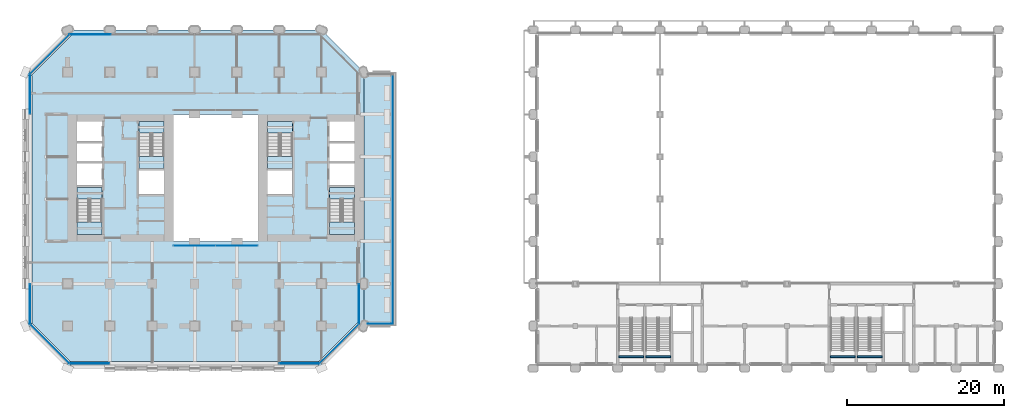
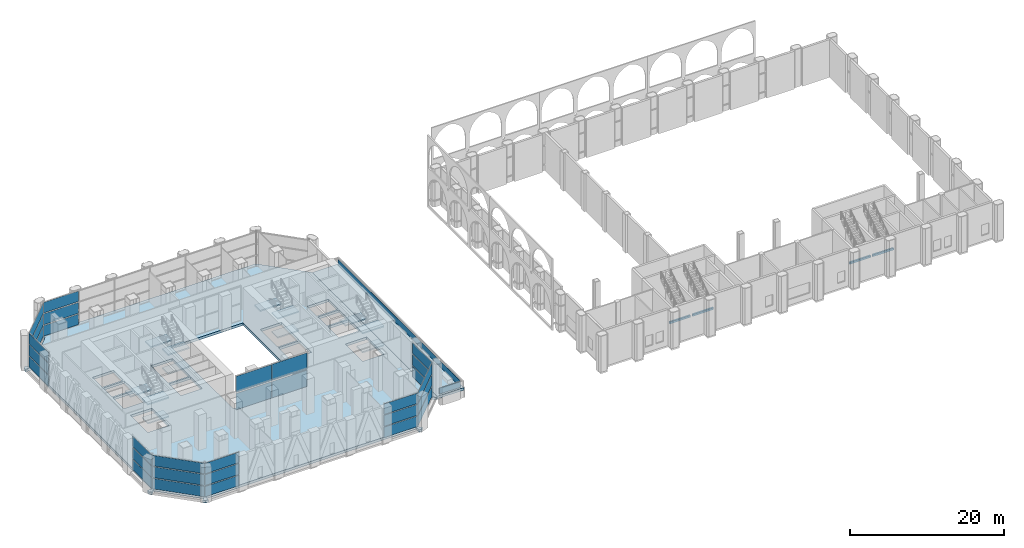
# One storey, part 10 of 34: 33 plates, 14 slabs, 4 beams, 14 elements without a shape of their own.
"""IFC4 building model written with IfcOpenShell, lengths in metres."""

from ifc_helpers import new_model, si_unit, direction, frame, frame_2d, origin, origin_2d, place, context, subcontext, project, spatial, polyline, rectangle, outline, extrude, material, layer, layer_set, material_profile, profile_set, type_object, element, aggregate, save


model = new_model("IFC4")

# Units and contexts
model_context = context("Model", 3, precision=1e-05, world=origin(), true_north=direction((0.0, 1.0)))
body_context = subcontext(model_context, "Body", "Model", "MODEL_VIEW")
ifc_project = project(units=[si_unit("LENGTHUNIT", "METRE"), si_unit("AREAUNIT", "SQUARE_METRE"), si_unit("VOLUMEUNIT", "CUBIC_METRE"), si_unit("PLANEANGLEUNIT", "RADIAN"), si_unit("MASSUNIT", "GRAM", prefix="KILO")], contexts=[model_context])

# Site, building, storey
site_placement = place(None, origin())
site = spatial("IfcSite", under=ifc_project, at=site_placement, CompositionType="ELEMENT")
building_placement = place(site_placement, origin())
building = spatial("IfcBuilding", under=site, at=building_placement, Name="Tabaq Tower and Sports Hall", CompositionType="ELEMENT")
storey_placement = place(building_placement, frame((0.0, 0.0, 8.39990234375)))
storey = spatial("IfcBuildingStorey", under=building, at=storey_placement, Name="L01", CompositionType="ELEMENT", Elevation=8.39990234375)

# Beams
ifc_material_1 = material(Name="Concrete C50/60", Category="concrete")
ifc_material_profile = material_profile(ifc_material_1, rectangle(XDim=0.25, YDim=0.300048828125, at=origin_2d()), Name="RC 250x300")
ifc_profile_set = profile_set([ifc_material_profile], Name="Concrete C50/60")
beam_type = type_object("IfcBeamType", Name="HALL STAIR LANDING BEAM 250x300", PredefinedType="BEAM", material=ifc_profile_set)
beam_1_placement = place(storey_placement, frame((75.75, 1.5, 2.650146484375), z_axis=(1.0, 0.0, 0.0), x_axis=(0.0, 1.0, 0.0)))
element("IfcBeam", 1, at=beam_1_placement, inside=storey, type_object=beam_type, Name="L01 ST-H1 landing beam 1", PredefinedType="BEAM", context=body_context, shape_type="SweptSolid", body=[
    extrude(rectangle(XDim=0.25, YDim=0.300048828125, at=origin_2d()), origin(), (0.0, 0.0, 1.0), 3.14990234375),
])
beam_2_placement = place(storey_placement, frame((79.199951171875, 1.5, 2.650146484375), z_axis=(1.0, 0.0, 0.0), x_axis=(0.0, 1.0, 0.0)))
element("IfcBeam", 2, at=beam_2_placement, inside=storey, type_object=beam_type, Name="L01 ST-H2 landing beam 1", PredefinedType="BEAM", context=body_context, shape_type="SweptSolid", body=[
    extrude(rectangle(XDim=0.25, YDim=0.300048828125, at=origin_2d()), origin(), (0.0, 0.0, 1.0), 3.150146484375),
])
beam_3_placement = place(storey_placement, frame((102.75, 1.5, 2.650146484375), z_axis=(1.0, 0.0, 0.0), x_axis=(0.0, 1.0, 0.0)))
element("IfcBeam", 3, at=beam_3_placement, inside=storey, type_object=beam_type, Name="L01 ST-H3 landing beam 1", PredefinedType="BEAM", context=body_context, shape_type="SweptSolid", body=[
    extrude(rectangle(XDim=0.25, YDim=0.300048828125, at=origin_2d()), origin(), (0.0, 0.0, 1.0), 3.14990234375),
])
beam_4_placement = place(storey_placement, frame((106.199951171875, 1.5, 2.650146484375), z_axis=(1.0, 0.0, 0.0), x_axis=(0.0, 1.0, 0.0)))
element("IfcBeam", 4, at=beam_4_placement, inside=storey, type_object=beam_type, Name="L01 ST-H4 landing beam 1", PredefinedType="BEAM", context=body_context, shape_type="SweptSolid", body=[
    extrude(rectangle(XDim=0.25, YDim=0.300048828125, at=origin_2d()), origin(), (0.0, 0.0, 1.0), 3.150146484375),
])

# Curtain wall, plates
ifc_material_2 = material(Name="Aluminium alloy 6063-T6 framed glazing", Category="aluminium")
curtain_wall_type_1 = type_object("IfcCurtainWallType", Name="CW1 curtain wall", PredefinedType="USERDEFINED", material=ifc_material_2)
curtain_wall_1_placement = place(storey_placement, origin())
curtain_wall_1 = element("IfcCurtainWall", 5, at=curtain_wall_1_placement, inside=storey, type_object=curtain_wall_type_1, Name="Atrium glazing L01 S", ObjectType="ATRIUM ENCLOSURE", PredefinedType="USERDEFINED")
ifc_material_3 = material(Name="Clear low-emissivity glass 28 mm", Category="glass")
ifc_layer_1 = layer(ifc_material_3, 0.028076171875)
ifc_layer_set_1 = layer_set([ifc_layer_1], Name="CW1 glass panel 28")
plate_type_1 = type_object("IfcPlateType", Name="CW1 glass panel 28", PredefinedType="CURTAIN_PANEL", material=ifc_layer_set_1)
plate_1_placement = place(storey_placement, frame((21.614990234375, 15.64990234375, 0.14013671875), z_axis=(0.0, 0.0, 1.0), x_axis=(1.0, 0.0, 0.0)))
plate_1 = element("IfcPlate", 6, at=plate_1_placement, type_object=plate_type_1, Name="CW1 panel 1.1", PredefinedType="CURTAIN_PANEL", context=body_context, shape_type="SweptSolid", body=[
    extrude(rectangle(XDim=5.31005859375, YDim=0.028076171875, at=origin_2d()), origin(), (0.0, 0.0, 1.0), 2.590087890625),
])
plate_2_placement = place(storey_placement, frame((21.614990234375, 15.64990234375, 2.8701171875), z_axis=(0.0, 0.0, 1.0), x_axis=(1.0, 0.0, 0.0)))
plate_2 = element("IfcPlate", 7, at=plate_2_placement, type_object=plate_type_1, Name="CW1 panel 1.2", PredefinedType="CURTAIN_PANEL", context=body_context, shape_type="SweptSolid", body=[
    extrude(rectangle(XDim=5.31005859375, YDim=0.028076171875, at=origin_2d()), origin(), (0.0, 0.0, 1.0), 2.590087890625),
])
plate_3_placement = place(storey_placement, frame((26.985107421875, 15.64990234375, 0.14013671875), z_axis=(0.0, 0.0, 1.0), x_axis=(1.0, 0.0, 0.0)))
plate_3 = element("IfcPlate", 8, at=plate_3_placement, type_object=plate_type_1, Name="CW1 panel 2.1", PredefinedType="CURTAIN_PANEL", context=body_context, shape_type="SweptSolid", body=[
    extrude(rectangle(XDim=5.31005859375, YDim=0.028076171875, at=origin_2d()), origin(), (0.0, 0.0, 1.0), 2.590087890625),
])
plate_4_placement = place(storey_placement, frame((26.985107421875, 15.64990234375, 2.8701171875), z_axis=(0.0, 0.0, 1.0), x_axis=(1.0, 0.0, 0.0)))
plate_4 = element("IfcPlate", 9, at=plate_4_placement, type_object=plate_type_1, Name="CW1 panel 2.2", PredefinedType="CURTAIN_PANEL", context=body_context, shape_type="SweptSolid", body=[
    extrude(rectangle(XDim=5.31005859375, YDim=0.028076171875, at=origin_2d()), origin(), (0.0, 0.0, 1.0), 2.590087890625),
])
aggregate(curtain_wall_1, [plate_1, plate_2, plate_3, plate_4])

ifc_material_4 = material(Name="Aluminium alloy 6063-T6 framed glazing", Category="aluminium")
curtain_wall_type_2 = type_object("IfcCurtainWallType", Name="CW7 curtain wall", PredefinedType="USERDEFINED", material=ifc_material_4)
curtain_wall_2_placement = place(storey_placement, origin())
curtain_wall_2 = element("IfcCurtainWall", 10, at=curtain_wall_2_placement, inside=storey, type_object=curtain_wall_type_2, Name="Podium Wall L01 S", ObjectType="PODIUM WALL", PredefinedType="USERDEFINED")
ifc_material_5 = material(Name="Clear low-emissivity glass 28 mm", Category="glass")
ifc_layer_2 = layer(ifc_material_5, 0.030029296875)
ifc_layer_set_2 = layer_set([ifc_layer_2], Name="CW7 glass panel 30")
plate_type_2 = type_object("IfcPlateType", Name="CW7 glass panel 30", PredefinedType="CURTAIN_PANEL", material=ifc_layer_set_2)
plate_5_placement = place(storey_placement, frame((8.193115234375, 0.60009765625, 0.14013671875), z_axis=(0.0, 0.0, 1.0), x_axis=(1.0, 0.0, 0.0)))
plate_5 = element("IfcPlate", 11, at=plate_5_placement, type_object=plate_type_2, Name="CW7 panel 1.1", PredefinedType="CURTAIN_PANEL", context=body_context, shape_type="SweptSolid", body=[
    extrude(rectangle(XDim=5.08349609375, YDim=0.030029296875, at=origin_2d()), origin(), (0.0, 0.0, 1.0), 1.65673828125),
])
plate_6_placement = place(storey_placement, frame((8.193115234375, 0.60009765625, 1.936767578125), z_axis=(0.0, 0.0, 1.0), x_axis=(1.0, 0.0, 0.0)))
plate_6 = element("IfcPlate", 12, at=plate_6_placement, type_object=plate_type_2, Name="CW7 panel 1.2", PredefinedType="CURTAIN_PANEL", context=body_context, shape_type="SweptSolid", body=[
    extrude(rectangle(XDim=5.08349609375, YDim=0.030029296875, at=origin_2d()), origin(), (0.0, 0.0, 1.0), 1.7265625),
])
plate_7_placement = place(storey_placement, frame((8.193115234375, 0.60009765625, 3.803466796875), z_axis=(0.0, 0.0, 1.0), x_axis=(1.0, 0.0, 0.0)))
plate_7 = element("IfcPlate", 13, at=plate_7_placement, type_object=plate_type_2, Name="CW7 panel 1.3", PredefinedType="CURTAIN_PANEL", context=body_context, shape_type="SweptSolid", body=[
    extrude(rectangle(XDim=5.08349609375, YDim=0.030029296875, at=origin_2d()), origin(), (0.0, 0.0, 1.0), 1.65673828125),
])
aggregate(curtain_wall_2, [plate_5, plate_6, plate_7])

curtain_wall_3_placement = place(storey_placement, origin())
curtain_wall_3 = element("IfcCurtainWall", 14, at=curtain_wall_3_placement, inside=storey, type_object=curtain_wall_type_2, Name="Podium Wall L01 S", ObjectType="PODIUM WALL", PredefinedType="USERDEFINED")
plate_8_placement = place(storey_placement, frame((35.0068359375, 0.60009765625, 0.14013671875), z_axis=(0.0, 0.0, 1.0), x_axis=(1.0, 0.0, 0.0)))
plate_8 = element("IfcPlate", 15, at=plate_8_placement, type_object=plate_type_2, Name="CW7 panel 1.1", PredefinedType="CURTAIN_PANEL", context=body_context, shape_type="SweptSolid", body=[
    extrude(rectangle(XDim=5.08349609375, YDim=0.030029296875, at=origin_2d()), origin(), (0.0, 0.0, 1.0), 1.65673828125),
])
plate_9_placement = place(storey_placement, frame((35.0068359375, 0.60009765625, 1.936767578125), z_axis=(0.0, 0.0, 1.0), x_axis=(1.0, 0.0, 0.0)))
plate_9 = element("IfcPlate", 16, at=plate_9_placement, type_object=plate_type_2, Name="CW7 panel 1.2", PredefinedType="CURTAIN_PANEL", context=body_context, shape_type="SweptSolid", body=[
    extrude(rectangle(XDim=5.08349609375, YDim=0.030029296875, at=origin_2d()), origin(), (0.0, 0.0, 1.0), 1.7265625),
])
plate_10_placement = place(storey_placement, frame((35.0068359375, 0.60009765625, 3.803466796875), z_axis=(0.0, 0.0, 1.0), x_axis=(1.0, 0.0, 0.0)))
plate_10 = element("IfcPlate", 17, at=plate_10_placement, type_object=plate_type_2, Name="CW7 panel 1.3", PredefinedType="CURTAIN_PANEL", context=body_context, shape_type="SweptSolid", body=[
    extrude(rectangle(XDim=5.08349609375, YDim=0.030029296875, at=origin_2d()), origin(), (0.0, 0.0, 1.0), 1.65673828125),
])
aggregate(curtain_wall_3, [plate_8, plate_9, plate_10])

curtain_wall_4_placement = place(storey_placement, origin())
curtain_wall_4 = element("IfcCurtainWall", 18, at=curtain_wall_4_placement, inside=storey, type_object=curtain_wall_type_2, Name="Podium Wall L01 SE", ObjectType="PODIUM WALL", PredefinedType="USERDEFINED")
plate_11_placement = place(storey_placement, frame((40.07568359375, 3.124267578125, 0.14013671875), z_axis=(0.0, 0.0, 1.0), x_axis=(0.707106781187, 0.707106781187, 0.0)))
plate_11 = element("IfcPlate", 19, at=plate_11_placement, type_object=plate_type_2, Name="CW7 panel 1.1", PredefinedType="CURTAIN_PANEL", context=body_context, shape_type="SweptSolid", body=[
    extrude(rectangle(XDim=7.009765625, YDim=0.030029296875, at=origin_2d()), origin(), (0.0, 0.0, 1.0), 1.65673828125),
])
plate_12_placement = place(storey_placement, frame((40.07568359375, 3.124267578125, 1.936767578125), z_axis=(0.0, 0.0, 1.0), x_axis=(0.707106781187, 0.707106781187, 0.0)))
plate_12 = element("IfcPlate", 20, at=plate_12_placement, type_object=plate_type_2, Name="CW7 panel 1.2", PredefinedType="CURTAIN_PANEL", context=body_context, shape_type="SweptSolid", body=[
    extrude(rectangle(XDim=7.009765625, YDim=0.030029296875, at=origin_2d()), origin(), (0.0, 0.0, 1.0), 1.7265625),
])
plate_13_placement = place(storey_placement, frame((40.07568359375, 3.124267578125, 3.803466796875), z_axis=(0.0, 0.0, 1.0), x_axis=(0.707106781187, 0.707106781187, 0.0)))
plate_13 = element("IfcPlate", 21, at=plate_13_placement, type_object=plate_type_2, Name="CW7 panel 1.3", PredefinedType="CURTAIN_PANEL", context=body_context, shape_type="SweptSolid", body=[
    extrude(rectangle(XDim=7.009765625, YDim=0.030029296875, at=origin_2d()), origin(), (0.0, 0.0, 1.0), 1.65673828125),
])
aggregate(curtain_wall_4, [plate_11, plate_12, plate_13])

curtain_wall_5_placement = place(storey_placement, origin())
curtain_wall_5 = element("IfcCurtainWall", 22, at=curtain_wall_5_placement, inside=storey, type_object=curtain_wall_type_2, Name="Podium Wall L01 E", ObjectType="PODIUM WALL", PredefinedType="USERDEFINED")
plate_14_placement = place(storey_placement, frame((42.60009765625, 8.193115234375, 0.14013671875), z_axis=(0.0, 0.0, 1.0), x_axis=(0.0, 1.0, 0.0)))
plate_14 = element("IfcPlate", 23, at=plate_14_placement, type_object=plate_type_2, Name="CW7 panel 1.1", PredefinedType="CURTAIN_PANEL", context=body_context, shape_type="SweptSolid", body=[
    extrude(rectangle(XDim=5.08349609375, YDim=0.030029296875, at=origin_2d()), origin(), (0.0, 0.0, 1.0), 1.65673828125),
])
plate_15_placement = place(storey_placement, frame((42.60009765625, 8.193115234375, 1.936767578125), z_axis=(0.0, 0.0, 1.0), x_axis=(0.0, 1.0, 0.0)))
plate_15 = element("IfcPlate", 24, at=plate_15_placement, type_object=plate_type_2, Name="CW7 panel 1.2", PredefinedType="CURTAIN_PANEL", context=body_context, shape_type="SweptSolid", body=[
    extrude(rectangle(XDim=5.08349609375, YDim=0.030029296875, at=origin_2d()), origin(), (0.0, 0.0, 1.0), 1.7265625),
])
plate_16_placement = place(storey_placement, frame((42.60009765625, 8.193115234375, 3.803466796875), z_axis=(0.0, 0.0, 1.0), x_axis=(0.0, 1.0, 0.0)))
plate_16 = element("IfcPlate", 25, at=plate_16_placement, type_object=plate_type_2, Name="CW7 panel 1.3", PredefinedType="CURTAIN_PANEL", context=body_context, shape_type="SweptSolid", body=[
    extrude(rectangle(XDim=5.08349609375, YDim=0.030029296875, at=origin_2d()), origin(), (0.0, 0.0, 1.0), 1.65673828125),
])
aggregate(curtain_wall_5, [plate_14, plate_15, plate_16])

curtain_wall_6_placement = place(storey_placement, origin())
curtain_wall_6 = element("IfcCurtainWall", 26, at=curtain_wall_6_placement, inside=storey, type_object=curtain_wall_type_2, Name="Podium Wall L01 N", ObjectType="PODIUM WALL", PredefinedType="USERDEFINED")
plate_17_placement = place(storey_placement, frame((8.271484375, 42.60009765625, 0.14013671875), z_axis=(0.0, 0.0, 1.0), x_axis=(-1.0, 0.0, 0.0)))
plate_17 = element("IfcPlate", 27, at=plate_17_placement, type_object=plate_type_2, Name="CW7 panel 6.1", PredefinedType="CURTAIN_PANEL", context=body_context, shape_type="SweptSolid", body=[
    extrude(rectangle(XDim=5.240478515625, YDim=0.030029296875, at=origin_2d()), origin(), (0.0, 0.0, 1.0), 1.65673828125),
])
plate_18_placement = place(storey_placement, frame((8.271484375, 42.60009765625, 1.936767578125), z_axis=(0.0, 0.0, 1.0), x_axis=(-1.0, 0.0, 0.0)))
plate_18 = element("IfcPlate", 28, at=plate_18_placement, type_object=plate_type_2, Name="CW7 panel 6.2", PredefinedType="CURTAIN_PANEL", context=body_context, shape_type="SweptSolid", body=[
    extrude(rectangle(XDim=5.240478515625, YDim=0.030029296875, at=origin_2d()), origin(), (0.0, 0.0, 1.0), 1.7265625),
])
plate_19_placement = place(storey_placement, frame((8.271484375, 42.60009765625, 3.803466796875), z_axis=(0.0, 0.0, 1.0), x_axis=(-1.0, 0.0, 0.0)))
plate_19 = element("IfcPlate", 29, at=plate_19_placement, type_object=plate_type_2, Name="CW7 panel 6.3", PredefinedType="CURTAIN_PANEL", context=body_context, shape_type="SweptSolid", body=[
    extrude(rectangle(XDim=5.240478515625, YDim=0.030029296875, at=origin_2d()), origin(), (0.0, 0.0, 1.0), 1.65673828125),
])
aggregate(curtain_wall_6, [plate_17, plate_18, plate_19])

curtain_wall_7_placement = place(storey_placement, origin())
curtain_wall_7 = element("IfcCurtainWall", 30, at=curtain_wall_7_placement, inside=storey, type_object=curtain_wall_type_2, Name="Podium Wall L01 NW", ObjectType="PODIUM WALL", PredefinedType="USERDEFINED")
plate_20_placement = place(storey_placement, frame((3.124267578125, 40.07568359375, 0.14013671875), z_axis=(0.0, 0.0, 1.0), x_axis=(-0.707106781187, -0.707106781187, 0.0)))
plate_20 = element("IfcPlate", 31, at=plate_20_placement, type_object=plate_type_2, Name="CW7 panel 1.1", PredefinedType="CURTAIN_PANEL", context=body_context, shape_type="SweptSolid", body=[
    extrude(rectangle(XDim=7.009765625, YDim=0.030029296875, at=origin_2d()), origin(), (0.0, 0.0, 1.0), 1.65673828125),
])
plate_21_placement = place(storey_placement, frame((3.124267578125, 40.07568359375, 1.936767578125), z_axis=(0.0, 0.0, 1.0), x_axis=(-0.707106781187, -0.707106781187, 0.0)))
plate_21 = element("IfcPlate", 32, at=plate_21_placement, type_object=plate_type_2, Name="CW7 panel 1.2", PredefinedType="CURTAIN_PANEL", context=body_context, shape_type="SweptSolid", body=[
    extrude(rectangle(XDim=7.009765625, YDim=0.030029296875, at=origin_2d()), origin(), (0.0, 0.0, 1.0), 1.7265625),
])
plate_22_placement = place(storey_placement, frame((3.124267578125, 40.07568359375, 3.803466796875), z_axis=(0.0, 0.0, 1.0), x_axis=(-0.707106781187, -0.707106781187, 0.0)))
plate_22 = element("IfcPlate", 33, at=plate_22_placement, type_object=plate_type_2, Name="CW7 panel 1.3", PredefinedType="CURTAIN_PANEL", context=body_context, shape_type="SweptSolid", body=[
    extrude(rectangle(XDim=7.009765625, YDim=0.030029296875, at=origin_2d()), origin(), (0.0, 0.0, 1.0), 1.65673828125),
])
aggregate(curtain_wall_7, [plate_20, plate_21, plate_22])

curtain_wall_8_placement = place(storey_placement, origin())
curtain_wall_8 = element("IfcCurtainWall", 34, at=curtain_wall_8_placement, inside=storey, type_object=curtain_wall_type_2, Name="Podium Wall L01 W", ObjectType="PODIUM WALL", PredefinedType="USERDEFINED")
plate_23_placement = place(storey_placement, frame((0.60009765625, 35.0068359375, 0.14013671875), z_axis=(0.0, 0.0, 1.0), x_axis=(0.0, -1.0, 0.0)))
plate_23 = element("IfcPlate", 35, at=plate_23_placement, type_object=plate_type_2, Name="CW7 panel 1.1", PredefinedType="CURTAIN_PANEL", context=body_context, shape_type="SweptSolid", body=[
    extrude(rectangle(XDim=5.08349609375, YDim=0.030029296875, at=origin_2d()), origin(), (0.0, 0.0, 1.0), 1.65673828125),
])
plate_24_placement = place(storey_placement, frame((0.60009765625, 35.0068359375, 1.936767578125), z_axis=(0.0, 0.0, 1.0), x_axis=(0.0, -1.0, 0.0)))
plate_24 = element("IfcPlate", 36, at=plate_24_placement, type_object=plate_type_2, Name="CW7 panel 1.2", PredefinedType="CURTAIN_PANEL", context=body_context, shape_type="SweptSolid", body=[
    extrude(rectangle(XDim=5.08349609375, YDim=0.030029296875, at=origin_2d()), origin(), (0.0, 0.0, 1.0), 1.7265625),
])
plate_25_placement = place(storey_placement, frame((0.60009765625, 35.0068359375, 3.803466796875), z_axis=(0.0, 0.0, 1.0), x_axis=(0.0, -1.0, 0.0)))
plate_25 = element("IfcPlate", 37, at=plate_25_placement, type_object=plate_type_2, Name="CW7 panel 1.3", PredefinedType="CURTAIN_PANEL", context=body_context, shape_type="SweptSolid", body=[
    extrude(rectangle(XDim=5.08349609375, YDim=0.030029296875, at=origin_2d()), origin(), (0.0, 0.0, 1.0), 1.65673828125),
])
aggregate(curtain_wall_8, [plate_23, plate_24, plate_25])

curtain_wall_9_placement = place(storey_placement, origin())
curtain_wall_9 = element("IfcCurtainWall", 38, at=curtain_wall_9_placement, inside=storey, type_object=curtain_wall_type_2, Name="Podium Wall L01 W", ObjectType="PODIUM WALL", PredefinedType="USERDEFINED")
plate_26_placement = place(storey_placement, frame((0.60009765625, 8.193115234375, 0.14013671875), z_axis=(0.0, 0.0, 1.0), x_axis=(0.0, -1.0, 0.0)))
plate_26 = element("IfcPlate", 39, at=plate_26_placement, type_object=plate_type_2, Name="CW7 panel 1.1", PredefinedType="CURTAIN_PANEL", context=body_context, shape_type="SweptSolid", body=[
    extrude(rectangle(XDim=5.08349609375, YDim=0.030029296875, at=origin_2d()), origin(), (0.0, 0.0, 1.0), 1.65673828125),
])
plate_27_placement = place(storey_placement, frame((0.60009765625, 8.193115234375, 1.936767578125), z_axis=(0.0, 0.0, 1.0), x_axis=(0.0, -1.0, 0.0)))
plate_27 = element("IfcPlate", 40, at=plate_27_placement, type_object=plate_type_2, Name="CW7 panel 1.2", PredefinedType="CURTAIN_PANEL", context=body_context, shape_type="SweptSolid", body=[
    extrude(rectangle(XDim=5.08349609375, YDim=0.030029296875, at=origin_2d()), origin(), (0.0, 0.0, 1.0), 1.7265625),
])
plate_28_placement = place(storey_placement, frame((0.60009765625, 8.193115234375, 3.803466796875), z_axis=(0.0, 0.0, 1.0), x_axis=(0.0, -1.0, 0.0)))
plate_28 = element("IfcPlate", 41, at=plate_28_placement, type_object=plate_type_2, Name="CW7 panel 1.3", PredefinedType="CURTAIN_PANEL", context=body_context, shape_type="SweptSolid", body=[
    extrude(rectangle(XDim=5.08349609375, YDim=0.030029296875, at=origin_2d()), origin(), (0.0, 0.0, 1.0), 1.65673828125),
])
aggregate(curtain_wall_9, [plate_26, plate_27, plate_28])

curtain_wall_10_placement = place(storey_placement, origin())
curtain_wall_10 = element("IfcCurtainWall", 42, at=curtain_wall_10_placement, inside=storey, type_object=curtain_wall_type_2, Name="Podium Wall L01 SW", ObjectType="PODIUM WALL", PredefinedType="USERDEFINED")
plate_29_placement = place(storey_placement, frame((3.124267578125, 3.124267578125, 0.14013671875), z_axis=(0.0, 0.0, 1.0), x_axis=(0.707106781187, -0.707106781187, 0.0)))
plate_29 = element("IfcPlate", 43, at=plate_29_placement, type_object=plate_type_2, Name="CW7 panel 1.1", PredefinedType="CURTAIN_PANEL", context=body_context, shape_type="SweptSolid", body=[
    extrude(rectangle(XDim=7.009765625, YDim=0.030029296875, at=origin_2d()), origin(), (0.0, 0.0, 1.0), 1.65673828125),
])
plate_30_placement = place(storey_placement, frame((3.124267578125, 3.124267578125, 1.936767578125), z_axis=(0.0, 0.0, 1.0), x_axis=(0.707106781187, -0.707106781187, 0.0)))
plate_30 = element("IfcPlate", 44, at=plate_30_placement, type_object=plate_type_2, Name="CW7 panel 1.2", PredefinedType="CURTAIN_PANEL", context=body_context, shape_type="SweptSolid", body=[
    extrude(rectangle(XDim=7.009765625, YDim=0.030029296875, at=origin_2d()), origin(), (0.0, 0.0, 1.0), 1.7265625),
])
plate_31_placement = place(storey_placement, frame((3.124267578125, 3.124267578125, 3.803466796875), z_axis=(0.0, 0.0, 1.0), x_axis=(0.707106781187, -0.707106781187, 0.0)))
plate_31 = element("IfcPlate", 45, at=plate_31_placement, type_object=plate_type_2, Name="CW7 panel 1.3", PredefinedType="CURTAIN_PANEL", context=body_context, shape_type="SweptSolid", body=[
    extrude(rectangle(XDim=7.009765625, YDim=0.030029296875, at=origin_2d()), origin(), (0.0, 0.0, 1.0), 1.65673828125),
])
aggregate(curtain_wall_10, [plate_29, plate_30, plate_31])

# Slab
ifc_material_6 = material(Name="Concrete C40/50", Category="concrete")
ifc_layer_3 = layer(ifc_material_6, 0.39990234375)
ifc_layer_set_3 = layer_set([ifc_layer_3], Name="Concrete C40/50 PT tray slab")
slab_type_1 = type_object("IfcSlabType", Name="Concrete C40/50 PT tray slab", PredefinedType="FLOOR", material=ifc_layer_set_3)
slab_1_placement = place(storey_placement, frame((0.0, 0.0, -0.39990234375)))
element("IfcSlab", 46, at=slab_1_placement, inside=storey, type_object=slab_type_1, Name="Tray slab L01", PredefinedType="FLOOR", context=body_context, shape_type="SweptSolid", body=[
    extrude(outline(polyline([(43.199951171875, 5.39990234375), (43.199951171875, 37.800048828125), (47.199951171875, 37.800048828125), (47.199951171875, 5.39990234375), (43.199951171875, 5.39990234375)])), origin(), (0.0, 0.0, 1.0), 0.39990234375),
])

# Stair, slabs
ifc_material_7 = material(Name="Concrete C40/50", Category="concrete")
stair_type = type_object("IfcStairType", Name="Exit stair", PredefinedType="HALF_TURN_STAIR", material=ifc_material_7)
stair_1_placement = place(storey_placement, origin())
stair_1 = element("IfcStair", 47, at=stair_1_placement, inside=storey, type_object=stair_type, Name="L01 Exit stair ST1", PredefinedType="HALF_TURN_STAIR")
ifc_material_8 = material(Name="Concrete C40/50", Category="concrete")
ifc_layer_4 = layer(ifc_material_8, 0.199951171875)
ifc_layer_set_4 = layer_set([ifc_layer_4], Name="Exit stair landing")
slab_type_2 = type_object("IfcSlabType", Name="Exit stair landing", PredefinedType="LANDING", material=ifc_layer_set_4)
slab_2_placement = place(storey_placement, frame((0.0, 0.0, 1.300048828125)))
slab_2 = element("IfcSlab", 48, at=slab_2_placement, type_object=slab_type_2, Name="ST1 landing 1", PredefinedType="LANDING", context=body_context, shape_type="SweptSolid", body=[
    extrude(outline(polyline([(6.60009765625, 18.659912109375), (6.60009765625, 17.10009765625), (9.800048828125, 17.10009765625), (9.800048828125, 18.659912109375), (6.60009765625, 18.659912109375)])), origin(), (0.0, 0.0, 1.0), 0.199951171875),
])
slab_3_placement = place(storey_placement, frame((0.0, 0.0, 2.800048828125)))
slab_3 = element("IfcSlab", 49, at=slab_3_placement, type_object=slab_type_2, Name="ST1 landing 2", PredefinedType="LANDING", context=body_context, shape_type="SweptSolid", body=[
    extrude(outline(polyline([(6.60009765625, 23.10009765625), (6.60009765625, 21.60009765625), (9.800048828125, 21.60009765625), (9.800048828125, 23.10009765625), (6.60009765625, 23.10009765625)])), origin(), (0.0, 0.0, 1.0), 0.199951171875),
])
slab_4_placement = place(storey_placement, frame((0.0, 0.0, 4.300048828125)))
slab_4 = element("IfcSlab", 50, at=slab_4_placement, type_object=slab_type_2, Name="ST1 landing 3", PredefinedType="LANDING", context=body_context, shape_type="SweptSolid", body=[
    extrude(outline(polyline([(6.60009765625, 18.659912109375), (6.60009765625, 17.10009765625), (9.800048828125, 17.10009765625), (9.800048828125, 18.659912109375), (6.60009765625, 18.659912109375)])), origin(), (0.0, 0.0, 1.0), 0.199951171875),
])
aggregate(stair_1, [slab_2, slab_3, slab_4])

stair_2_placement = place(storey_placement, origin())
stair_2 = element("IfcStair", 51, at=stair_2_placement, inside=storey, type_object=stair_type, Name="L01 Exit stair ST2", PredefinedType="HALF_TURN_STAIR")
slab_5_placement = place(storey_placement, frame((0.0, 0.0, 1.300048828125)))
slab_5 = element("IfcSlab", 52, at=slab_5_placement, type_object=slab_type_2, Name="ST2 landing 1", PredefinedType="LANDING", context=body_context, shape_type="SweptSolid", body=[
    extrude(outline(polyline([(14.5, 27.06005859375), (14.5, 25.5), (17.699951171875, 25.5), (17.699951171875, 27.06005859375), (14.5, 27.06005859375)])), origin(), (0.0, 0.0, 1.0), 0.199951171875),
])
slab_6_placement = place(storey_placement, frame((0.0, 0.0, 2.800048828125)))
slab_6 = element("IfcSlab", 53, at=slab_6_placement, type_object=slab_type_2, Name="ST2 landing 2", PredefinedType="LANDING", context=body_context, shape_type="SweptSolid", body=[
    extrude(outline(polyline([(14.5, 31.5), (14.5, 30.0), (17.699951171875, 30.0), (17.699951171875, 31.5), (14.5, 31.5)])), origin(), (0.0, 0.0, 1.0), 0.199951171875),
])
slab_7_placement = place(storey_placement, frame((0.0, 0.0, 4.300048828125)))
slab_7 = element("IfcSlab", 54, at=slab_7_placement, type_object=slab_type_2, Name="ST2 landing 3", PredefinedType="LANDING", context=body_context, shape_type="SweptSolid", body=[
    extrude(outline(polyline([(14.5, 27.06005859375), (14.5, 25.5), (17.699951171875, 25.5), (17.699951171875, 27.06005859375), (14.5, 27.06005859375)])), origin(), (0.0, 0.0, 1.0), 0.199951171875),
])
aggregate(stair_2, [slab_5, slab_6, slab_7])

stair_3_placement = place(storey_placement, origin())
stair_3 = element("IfcStair", 55, at=stair_3_placement, inside=storey, type_object=stair_type, Name="L01 Exit stair ST3", PredefinedType="HALF_TURN_STAIR")
slab_8_placement = place(storey_placement, frame((0.0, 0.0, 1.300048828125)))
slab_8 = element("IfcSlab", 56, at=slab_8_placement, type_object=slab_type_2, Name="ST3 landing 1", PredefinedType="LANDING", context=body_context, shape_type="SweptSolid", body=[
    extrude(outline(polyline([(38.800048828125, 18.659912109375), (38.800048828125, 17.10009765625), (42.0, 17.10009765625), (42.0, 18.659912109375), (38.800048828125, 18.659912109375)])), origin(), (0.0, 0.0, 1.0), 0.199951171875),
])
slab_9_placement = place(storey_placement, frame((0.0, 0.0, 2.800048828125)))
slab_9 = element("IfcSlab", 57, at=slab_9_placement, type_object=slab_type_2, Name="ST3 landing 2", PredefinedType="LANDING", context=body_context, shape_type="SweptSolid", body=[
    extrude(outline(polyline([(38.800048828125, 23.10009765625), (38.800048828125, 21.60009765625), (42.0, 21.60009765625), (42.0, 23.10009765625), (38.800048828125, 23.10009765625)])), origin(), (0.0, 0.0, 1.0), 0.199951171875),
])
slab_10_placement = place(storey_placement, frame((0.0, 0.0, 4.300048828125)))
slab_10 = element("IfcSlab", 58, at=slab_10_placement, type_object=slab_type_2, Name="ST3 landing 3", PredefinedType="LANDING", context=body_context, shape_type="SweptSolid", body=[
    extrude(outline(polyline([(38.800048828125, 18.659912109375), (38.800048828125, 17.10009765625), (42.0, 17.10009765625), (42.0, 18.659912109375), (38.800048828125, 18.659912109375)])), origin(), (0.0, 0.0, 1.0), 0.199951171875),
])
aggregate(stair_3, [slab_8, slab_9, slab_10])

stair_4_placement = place(storey_placement, origin())
stair_4 = element("IfcStair", 59, at=stair_4_placement, inside=storey, type_object=stair_type, Name="L01 Exit stair ST4", PredefinedType="HALF_TURN_STAIR")
slab_11_placement = place(storey_placement, frame((0.0, 0.0, 1.300048828125)))
slab_11 = element("IfcSlab", 60, at=slab_11_placement, type_object=slab_type_2, Name="ST4 landing 1", PredefinedType="LANDING", context=body_context, shape_type="SweptSolid", body=[
    extrude(outline(polyline([(30.89990234375, 27.06005859375), (30.89990234375, 25.5), (34.10009765625, 25.5), (34.10009765625, 27.06005859375), (30.89990234375, 27.06005859375)])), origin(), (0.0, 0.0, 1.0), 0.199951171875),
])
slab_12_placement = place(storey_placement, frame((0.0, 0.0, 2.800048828125)))
slab_12 = element("IfcSlab", 61, at=slab_12_placement, type_object=slab_type_2, Name="ST4 landing 2", PredefinedType="LANDING", context=body_context, shape_type="SweptSolid", body=[
    extrude(outline(polyline([(30.89990234375, 31.5), (30.89990234375, 30.0), (34.10009765625, 30.0), (34.10009765625, 31.5), (30.89990234375, 31.5)])), origin(), (0.0, 0.0, 1.0), 0.199951171875),
])
slab_13_placement = place(storey_placement, frame((0.0, 0.0, 4.300048828125)))
slab_13 = element("IfcSlab", 62, at=slab_13_placement, type_object=slab_type_2, Name="ST4 landing 3", PredefinedType="LANDING", context=body_context, shape_type="SweptSolid", body=[
    extrude(outline(polyline([(30.89990234375, 27.06005859375), (30.89990234375, 25.5), (34.10009765625, 25.5), (34.10009765625, 27.06005859375), (30.89990234375, 27.06005859375)])), origin(), (0.0, 0.0, 1.0), 0.199951171875),
])
aggregate(stair_4, [slab_11, slab_12, slab_13])

# Plates
ifc_material_9 = material(Name="Clear low-emissivity glass 28 mm", Category="glass")
ifc_layer_5 = layer(ifc_material_9, 0.02001953125)
ifc_layer_set_5 = layer_set([ifc_layer_5], Name="Laminated glass tray guard panel 20")
plate_type_3 = type_object("IfcPlateType", Name="Laminated glass tray guard panel 20", PredefinedType="USERDEFINED", material=ifc_layer_set_5)
plate_32_placement = place(storey_placement, frame((43.699951171875, 5.699951171875, 0.0), z_axis=(0.0, 0.0, 1.0), x_axis=(1.0, 0.0, 0.0)))
element("IfcPlate", 63, at=plate_32_placement, inside=storey, type_object=plate_type_3, Name="Tray guard glass L01", ObjectType="GUARD GLASS", PredefinedType="USERDEFINED", context=body_context, shape_type="SweptSolid", body=[
    extrude(rectangle(XDim=3.199951171875, YDim=0.02001953125, at=frame_2d((1.60009765625, 0.0))), origin(), (0.0, 0.0, 1.0), 0.9501953125),
])
plate_33_placement = place(storey_placement, frame((46.89990234375, 5.699951171875, 0.0), z_axis=(0.0, 0.0, 1.0), x_axis=(0.0, 1.0, 0.0)))
element("IfcPlate", 64, at=plate_33_placement, inside=storey, type_object=plate_type_3, Name="Tray guard glass L01", ObjectType="GUARD GLASS", PredefinedType="USERDEFINED", context=body_context, shape_type="SweptSolid", body=[
    extrude(rectangle(XDim=31.800048828125, YDim=0.02001953125, at=frame_2d((15.89990234375, 0.0))), origin(), (0.0, 0.0, 1.0), 0.9501953125),
])

# Slab
ifc_material_10 = material(Name="Concrete C40/50", Category="concrete")
ifc_layer_6 = layer(ifc_material_10, 0.39990234375)
ifc_layer_set_6 = layer_set([ifc_layer_6], Name="PT FLOOR SLAB 400 C40/50")
slab_type_3 = type_object("IfcSlabType", Name="PT FLOOR SLAB 400 C40/50", PredefinedType="FLOOR", material=ifc_layer_set_6)
slab_14_placement = place(storey_placement, frame((0.0, 0.0, -0.39990234375)))
element("IfcSlab", 65, at=slab_14_placement, inside=storey, type_object=slab_type_3, Name="Floor Slab L01", PredefinedType="FLOOR", context=body_context, shape_type="SweptSolid", body=[
    extrude(outline(polyline([(0.0, 5.802001953125), (0.0, 5.39990234375), (0.284423828125, 5.11572265625), (0.814697265625, 5.64599609375), (0.88525390625, 5.716796875), (5.716796875, 0.88525390625), (5.64599609375, 0.814697265625), (5.11572265625, 0.284423828125), (5.39990234375, 0.0), (5.802001953125, 0.0), (5.802001953125, 0.75), (5.802001953125, 0.85009765625), (37.39794921875, 0.85009765625), (37.39794921875, 0.75), (37.39794921875, 0.0), (37.800048828125, 0.0), (38.084228515625, 0.284423828125), (37.483154296875, 0.88525390625), (42.422119140625, 5.82421875), (42.492919921875, 5.753662109375), (43.023193359375, 5.22314453125), (43.199951171875, 5.39990234375), (43.199951171875, 37.800048828125), (37.800048828125, 43.199951171875), (5.39990234375, 43.199951171875), (5.22314453125, 43.023193359375), (5.753662109375, 42.492919921875), (5.82421875, 42.422119140625), (0.88525390625, 37.483154296875), (0.284423828125, 38.084228515625), (0.0, 37.800048828125), (0.0, 37.39794921875), (0.75, 37.39794921875), (0.85009765625, 37.39794921875), (0.85009765625, 5.802001953125), (0.75, 5.802001953125), (0.0, 5.802001953125)]), holes=[polyline([(6.60009765625, 21.599365234375), (9.800048828125, 21.599365234375), (9.800048828125, 17.10009765625), (6.60009765625, 17.10009765625), (6.60009765625, 21.599365234375)]), polyline([(17.699951171875, 25.25), (17.699951171875, 22.199951171875), (14.5, 22.199951171875), (14.5, 25.25), (17.699951171875, 25.25)]), polyline([(18.89990234375, 32.39990234375), (29.699951171875, 32.39990234375), (29.699951171875, 16.199951171875), (18.89990234375, 16.199951171875), (18.89990234375, 32.39990234375)]), polyline([(6.60009765625, 26.175048828125), (9.800048828125, 26.175048828125), (9.800048828125, 23.35009765625), (6.60009765625, 23.35009765625), (6.60009765625, 26.175048828125)]), polyline([(9.800048828125, 28.72509765625), (9.800048828125, 26.425048828125), (6.60009765625, 26.425048828125), (6.60009765625, 28.72509765625), (9.800048828125, 28.72509765625)]), polyline([(17.699951171875, 29.99951171875), (17.699951171875, 25.5), (14.5, 25.5), (14.5, 29.99951171875), (17.699951171875, 29.99951171875)]), polyline([(6.60009765625, 31.5), (9.800048828125, 31.5), (9.800048828125, 28.97509765625), (6.60009765625, 28.97509765625), (6.60009765625, 31.5)]), polyline([(42.0, 21.599365234375), (42.0, 17.10009765625), (38.800048828125, 17.10009765625), (38.800048828125, 21.599365234375), (42.0, 21.599365234375)]), polyline([(34.10009765625, 25.25), (34.10009765625, 22.199951171875), (30.89990234375, 22.199951171875), (30.89990234375, 25.25), (34.10009765625, 25.25)]), polyline([(42.0, 26.175048828125), (42.0, 23.35009765625), (38.800048828125, 23.35009765625), (38.800048828125, 26.175048828125), (42.0, 26.175048828125)]), polyline([(42.0, 28.72509765625), (42.0, 26.425048828125), (38.800048828125, 26.425048828125), (38.800048828125, 28.72509765625), (42.0, 28.72509765625)]), polyline([(34.10009765625, 29.99951171875), (34.10009765625, 25.5), (30.89990234375, 25.5), (30.89990234375, 29.99951171875), (34.10009765625, 29.99951171875)]), polyline([(42.0, 31.5), (42.0, 28.97509765625), (38.800048828125, 28.97509765625), (38.800048828125, 31.5), (42.0, 31.5)])]), origin(), (0.0, 0.0, 1.0), 0.39990234375),
])

save(model, "model.ifc")
